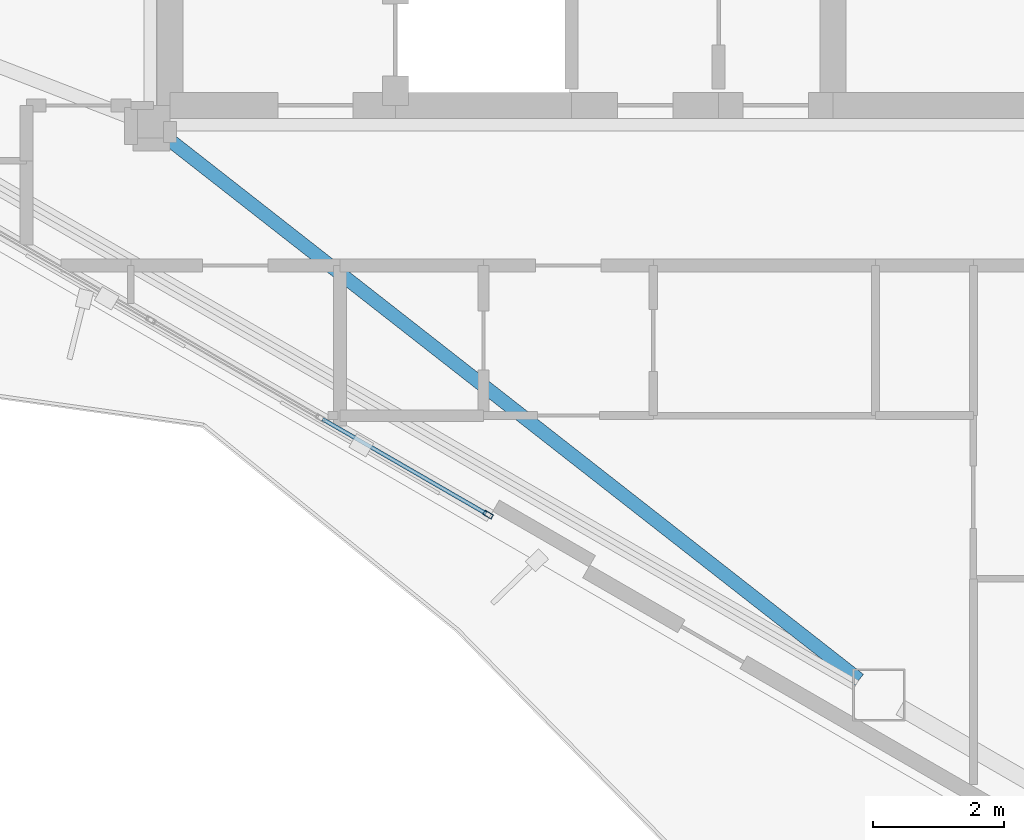
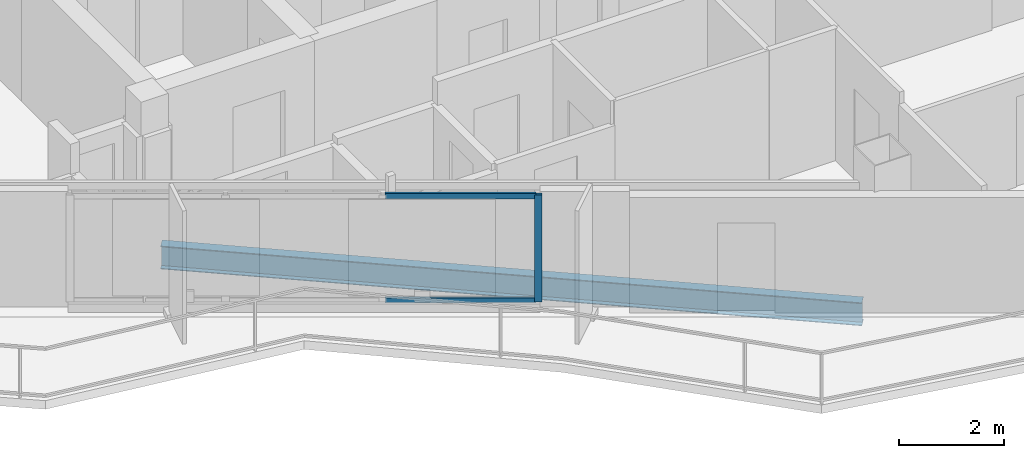
# One storey, part 4 of 22: 3 members, 1 beam, 1 element without a shape of its own.
"""IFC4 building model written with IfcOpenShell, lengths in metres."""

from ifc_helpers import new_model, si_unit, direction, frame, origin, origin_2d, place, context, subcontext, project, spatial, hollow_rectangle, i_section, extrude, material, layer, layer_set, material_profile, profile_set, type_object, element, aggregate, save


model = new_model("IFC4")

# Units and contexts
model_context = context("Model", 3, precision=1e-05, world=origin(), true_north=direction((0.0, 1.0)))
body_context = subcontext(model_context, "Body", "Model", "MODEL_VIEW")
ifc_project = project(units=[si_unit("LENGTHUNIT", "METRE"), si_unit("AREAUNIT", "SQUARE_METRE"), si_unit("VOLUMEUNIT", "CUBIC_METRE"), si_unit("PLANEANGLEUNIT", "RADIAN"), si_unit("MASSUNIT", "GRAM", prefix="KILO")], contexts=[model_context])

# Site, building, storey
site_placement = place(None, origin())
site = spatial("IfcSite", under=ifc_project, at=site_placement, CompositionType="ELEMENT")
building_placement = place(site_placement, origin())
building = spatial("IfcBuilding", under=site, at=building_placement, Name="Mersakhor Tower and Convention Hall", CompositionType="ELEMENT")
storey_placement = place(building_placement, frame((0.0, 0.0, 208.5)))
storey = spatial("IfcBuildingStorey", under=building, at=storey_placement, Name="L58", CompositionType="ELEMENT", Elevation=208.5)

# Beam
ifc_material_1 = material(Name="Steel S355", Category="steel")
ifc_material_profile_1 = material_profile(ifc_material_1, i_section(OverallWidth=0.2099609375, OverallDepth=0.53662109375, WebThickness=0.0107421875, FlangeThickness=0.017333984375, at=origin_2d()), Name="UB 533x210x101")
ifc_profile_set_1 = profile_set([ifc_material_profile_1], Name="Steel S355")
beam_type = type_object("IfcBeamType", Name="BM-FB-533", PredefinedType="BEAM", material=ifc_profile_set_1)
beam_placement = place(storey_placement, frame((22.12060546875, 20.27734375, -0.498291015625), z_axis=(0.78749660582, -0.616318988692, 0.0), x_axis=(0.616318988692, 0.78749660582, 0.0)))
element("IfcBeam", 1, at=beam_placement, inside=storey, type_object=beam_type, Name="L58 Primary Floor Girder FG-5", PredefinedType="BEAM", context=body_context, shape_type="SweptSolid", body=[
    extrude(i_section(OverallWidth=0.2099609375, OverallDepth=0.53662109375, WebThickness=0.0107421875, FlangeThickness=0.017333984375, at=origin_2d()), origin(), (0.0, 0.0, 1.0), 13.500732421875),
])

# Curtain wall, members
ifc_material_2 = material(Name="Dark solar low-E aluminium curtain wall", Category="aluminium")
ifc_layer = layer(ifc_material_2, 0.169921875)
ifc_layer_set = layer_set([ifc_layer], Name="Dark solar low-E aluminium curtain wall")
curtain_wall_type = type_object("IfcCurtainWallType", Name="CW-SYS-02", PredefinedType="USERDEFINED", material=ifc_layer_set)
curtain_wall_placement = place(storey_placement, origin())
curtain_wall = element("IfcCurtainWall", 2, at=curtain_wall_placement, inside=storey, type_object=curtain_wall_type, Name="L58 Dark-Glass Curtain Wall F3-B2", ObjectType="CURTAIN WALL", PredefinedType="USERDEFINED")
ifc_material_3 = material(Name="Anodised aluminium EN AW-6063 T6", Category="aluminium")
ifc_material_profile_2 = material_profile(ifc_material_3, hollow_rectangle(XDim=0.074951171875, YDim=0.14990234375, WallThickness=0.00634765625, at=origin_2d()), Name="RHS 150x75x6.3")
ifc_profile_set_2 = profile_set([ifc_material_profile_2], Name="Anodised aluminium EN AW-6063 T6")
member_type_1 = type_object("IfcMemberType", Name="CWM-150x75", PredefinedType="MULLION", material=ifc_profile_set_2)
member_1_placement = place(storey_placement, frame((27.06982421875, 14.483154296875, 0.199951171875), z_axis=(0.0, 0.0, 1.0), x_axis=(-0.500007824483, -0.86602088627, 0.0)))
member_1 = element("IfcMember", 3, at=member_1_placement, type_object=member_type_1, Name="CW-02 mullion 1", PredefinedType="MULLION", context=body_context, shape_type="SweptSolid", body=[
    extrude(hollow_rectangle(XDim=0.074951171875, YDim=0.14990234375, WallThickness=0.00634765625, at=origin_2d()), origin(), (0.0, 0.0, 1.0), 2.489990234375),
])
ifc_material_4 = material(Name="Anodised aluminium EN AW-6063 T6", Category="aluminium")
ifc_material_profile_3 = material_profile(ifc_material_4, hollow_rectangle(XDim=0.06005859375, YDim=0.1201171875, WallThickness=0.0048828125, at=origin_2d()), Name="RHS 120x60x5")
ifc_profile_set_3 = profile_set([ifc_material_profile_3], Name="Anodised aluminium EN AW-6063 T6")
member_type_2 = type_object("IfcMemberType", Name="CWT-120x60", PredefinedType="USERDEFINED", material=ifc_profile_set_3)
member_2_placement = place(storey_placement, frame((27.037353515625, 14.501953125, 0.22998046875), z_axis=(-0.86601237176, 0.50002257145, 0.0), x_axis=(-0.50002257145, -0.86601237176, 0.0)))
member_2 = element("IfcMember", 4, at=member_2_placement, type_object=member_type_2, Name="CW-02 transom 1.1", ObjectType="TRANSOM", PredefinedType="USERDEFINED", context=body_context, shape_type="SweptSolid", body=[
    extrude(hollow_rectangle(XDim=0.06005859375, YDim=0.1201171875, WallThickness=0.0048828125, at=origin_2d()), origin(), (0.0, 0.0, 1.0), 2.886962890625),
])
member_3_placement = place(storey_placement, frame((27.037353515625, 14.501953125, 2.659912109375), z_axis=(-0.86601237176, 0.50002257145, 0.0), x_axis=(-0.50002257145, -0.86601237176, 0.0)))
member_3 = element("IfcMember", 5, at=member_3_placement, type_object=member_type_2, Name="CW-02 transom 1.2", ObjectType="TRANSOM", PredefinedType="USERDEFINED", context=body_context, shape_type="SweptSolid", body=[
    extrude(hollow_rectangle(XDim=0.06005859375, YDim=0.1201171875, WallThickness=0.0048828125, at=origin_2d()), origin(), (0.0, 0.0, 1.0), 2.886962890625),
])
aggregate(curtain_wall, [member_1, member_2, member_3])

save(model, "model.ifc")
